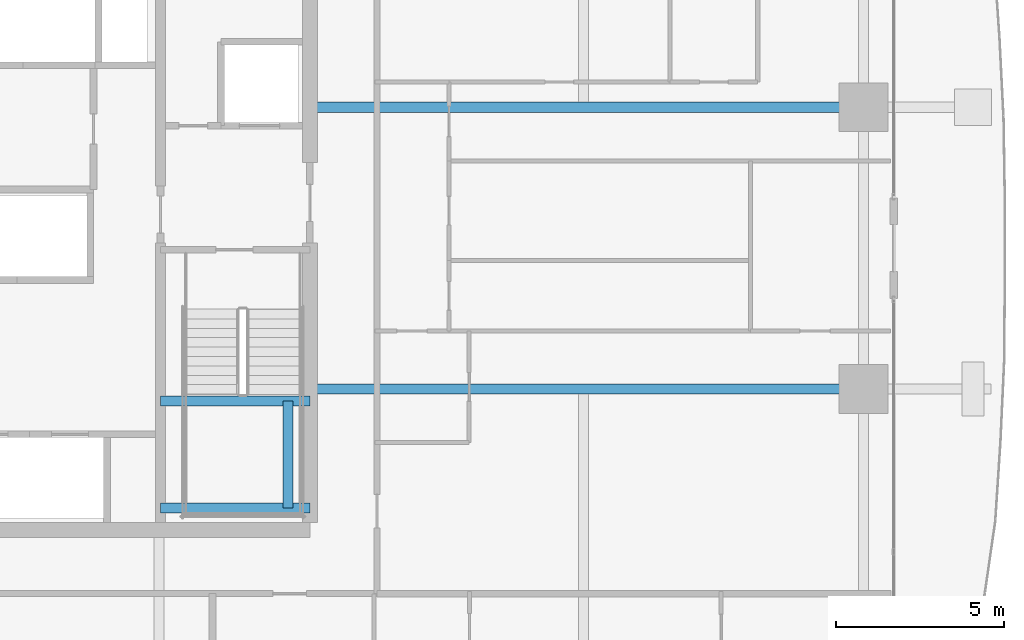
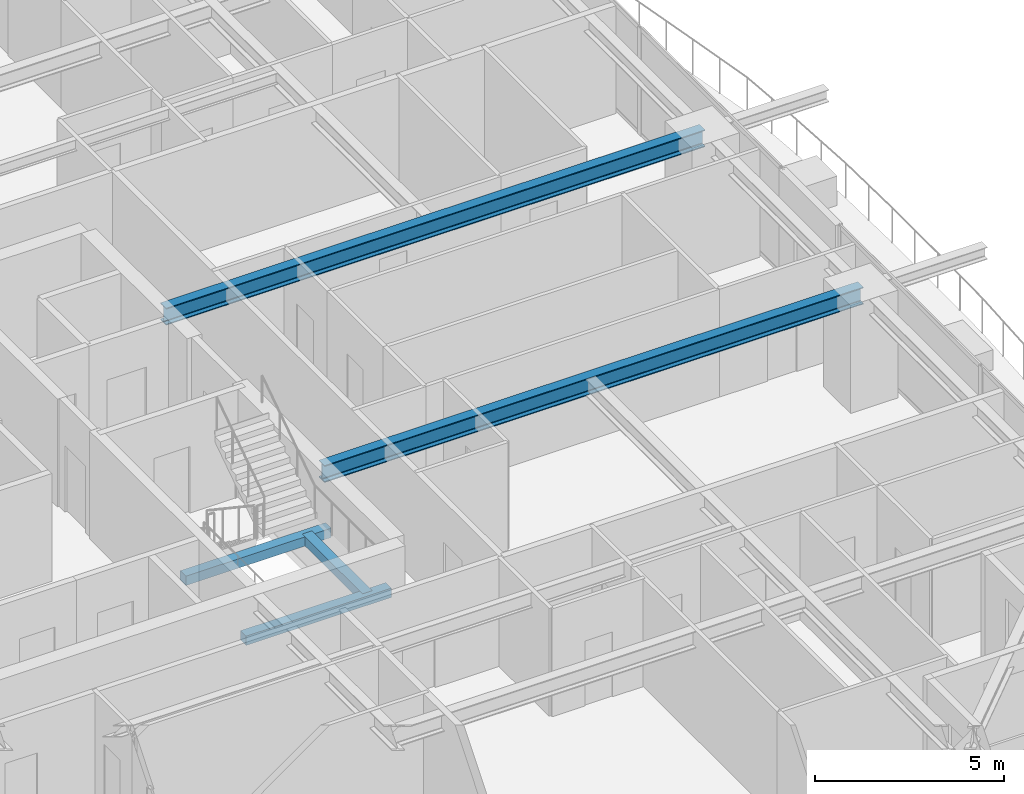
# One storey, part 13 of 38: 5 beams.
"""IFC4 building model written with IfcOpenShell, lengths in metres."""

from ifc_helpers import new_model, si_unit, direction, frame, origin, origin_2d, place, context, subcontext, project, spatial, rectangle, i_section, extrude, source, transform, mapped, material, material_profile, profile_set, type_object, element, save


model = new_model("IFC4")

# Units and contexts
model_context = context("Model", 3, precision=1e-05, world=origin(), true_north=direction((0.0, 1.0)))
body_context = subcontext(model_context, "Body", "Model", "MODEL_VIEW")
ifc_project = project(units=[si_unit("LENGTHUNIT", "METRE"), si_unit("AREAUNIT", "SQUARE_METRE"), si_unit("VOLUMEUNIT", "CUBIC_METRE"), si_unit("PLANEANGLEUNIT", "RADIAN"), si_unit("MASSUNIT", "GRAM", prefix="KILO")], contexts=[model_context])

# Site, building, storey
site_placement = place(None, origin())
site = spatial("IfcSite", under=ifc_project, at=site_placement, CompositionType="ELEMENT")
building_placement = place(site_placement, origin())
building = spatial("IfcBuilding", under=site, at=building_placement, Name="Serunith Strait Residences", CompositionType="ELEMENT")
storey_placement = place(building_placement, frame((0.0, 0.0, 30.449951171875)))
storey = spatial("IfcBuildingStorey", under=building, at=storey_placement, Name="L06", CompositionType="ELEMENT", Elevation=30.449951171875)

# Beams
ifc_material_1 = material(Name="Steel S355J2", Category="steel")
ifc_material_profile_1 = material_profile(ifc_material_1, i_section(OverallWidth=0.300048828125, OverallDepth=0.550048828125, WebThickness=0.014892578125, FlangeThickness=0.029052734375, FilletRadius=0.027099609375, at=origin_2d()), Name="HEB 550")
ifc_profile_set_1 = profile_set([ifc_material_profile_1], Name="Steel S355J2")
beam_type_1 = type_object("IfcBeamType", Name="BM-HEB550", PredefinedType="BEAM", material=ifc_profile_set_1)
shared_shape_1 = source(origin(), body_context, "Body", "SweptSolid", [
    extrude(i_section(OverallWidth=0.300048828125, OverallDepth=0.550048828125, WebThickness=0.014892578125, FlangeThickness=0.029052734375, FilletRadius=0.027099609375, at=origin_2d()), origin(), (0.0, 0.0, 1.0), 16.5),
])
for number, where, z_axis, x_axis, name in (
    (1, (41.39990234375, 21.0, 3.212158203125), (1.0, 0.0, 0.0), (0.0, 1.0, 0.0), "L06 Primary Floor Girder TC-E2"),
    (2, (41.39990234375, 29.39990234375, 3.212158203125), (1.0, 0.0, 0.0), (0.0, 1.0, 0.0), "L06 Primary Floor Girder TC-E3"),
):
    element("IfcBeam", number, at=place(storey_placement, frame(where, z_axis=z_axis, x_axis=x_axis)), inside=storey, type_object=beam_type_1, Name=name, PredefinedType="BEAM", context=body_context, shape_type="MappedRepresentation", body=[
        mapped(shared_shape_1, transform((0.0, 0.0, 0.0), scale=1.0)),
    ])
ifc_material_2 = material(Name="Concrete C60/75", Category="concrete")
ifc_material_profile_2 = material_profile(ifc_material_2, rectangle(XDim=0.300048828125, YDim=0.300048828125, at=origin_2d()), Name="RC 300x300")
ifc_profile_set_2 = profile_set([ifc_material_profile_2], Name="Concrete C60/75")
beam_type_2 = type_object("IfcBeamType", Name="BM-LAND-300x300", PredefinedType="BEAM", material=ifc_profile_set_2)
shared_shape_2 = source(origin(), body_context, "Body", "SweptSolid", [
    extrude(rectangle(XDim=0.300048828125, YDim=0.300048828125, at=origin_2d()), origin(), (0.0, 0.0, 1.0), 3.199951171875),
])
beam_placement = place(storey_placement, frame((40.75, 17.449951171875, 1.525146484375), z_axis=(0.0, 1.0, 0.0), x_axis=(-1.0, 0.0, 0.0)))
element("IfcBeam", 3, at=beam_placement, inside=storey, type_object=beam_type_2, Name="L06 ST-2 Landing Transverse Tie Beam", PredefinedType="BEAM", context=body_context, shape_type="MappedRepresentation", body=[
    mapped(shared_shape_2, transform((0.0, 0.0, 0.0), scale=1.0)),
])
shared_shape_3 = source(origin(), body_context, "Body", "SweptSolid", [
    extrude(rectangle(XDim=0.300048828125, YDim=0.300048828125, at=origin_2d()), origin(), (0.0, 0.0, 1.0), 4.449951171875),
])
for number, where, z_axis, x_axis, name in (
    (4, (36.949951171875, 17.449951171875, 1.525146484375), (1.0, 0.0, 0.0), (0.0, 1.0, 0.0), "L06 ST-2 Landing Support Beam 1"),
    (5, (36.949951171875, 20.64990234375, 1.525146484375), (1.0, 0.0, 0.0), (0.0, 1.0, 0.0), "L06 ST-2 Landing Support Beam 2"),
):
    element("IfcBeam", number, at=place(storey_placement, frame(where, z_axis=z_axis, x_axis=x_axis)), inside=storey, type_object=beam_type_2, Name=name, PredefinedType="BEAM", context=body_context, shape_type="MappedRepresentation", body=[
        mapped(shared_shape_3, transform((0.0, 0.0, 0.0), scale=1.0)),
    ])

save(model, "model.ifc")
